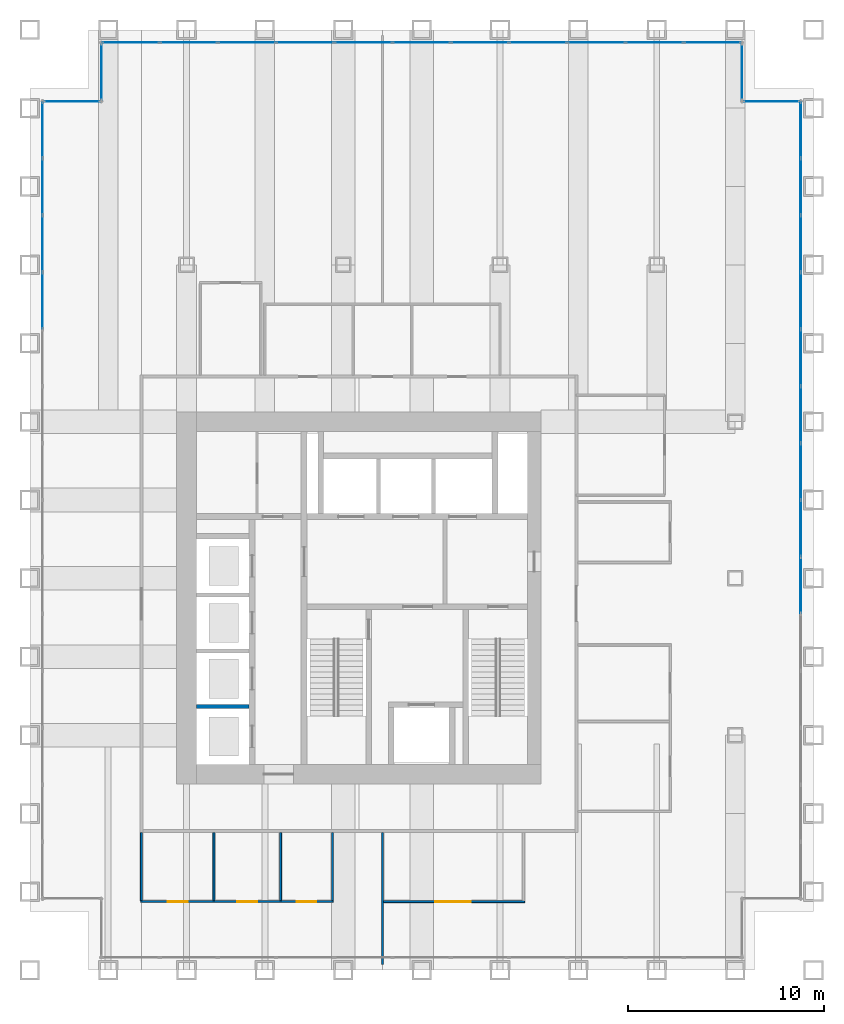
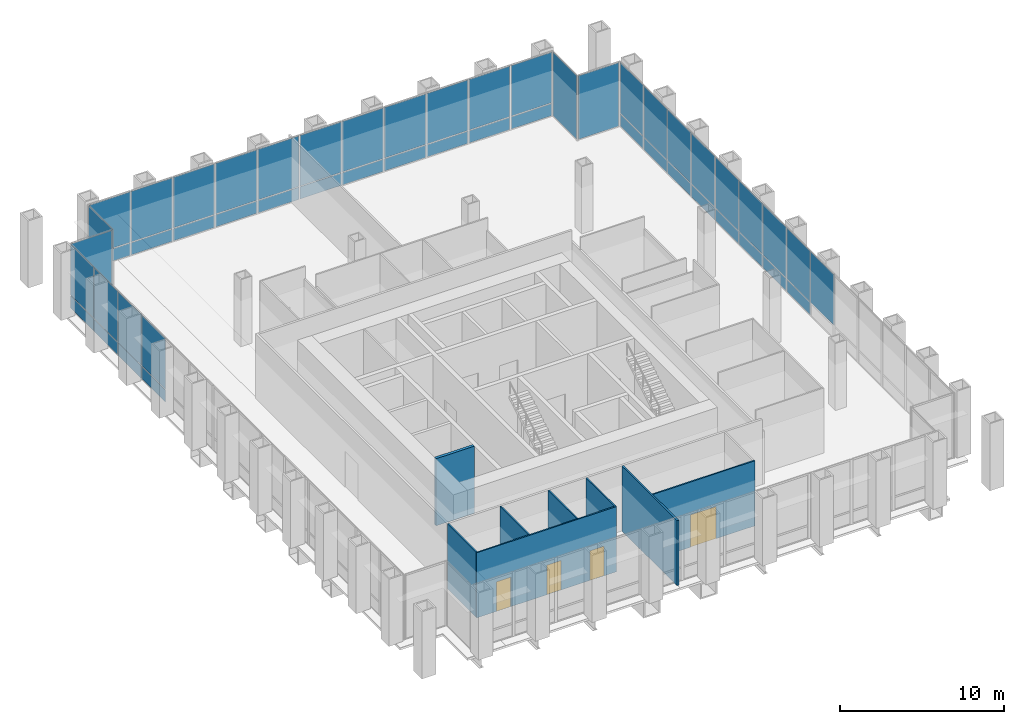
# One storey, part 9 of 13: 51 plates, 8 walls, 4 doors, 4 openings, 7 elements without a shape of their own.
"""IFC4 building model written with IfcOpenShell, lengths in metres."""

from ifc_helpers import new_model, si_unit, direction, frame, frame_2d, origin, origin_2d, place, context, subcontext, project, spatial, rectangle, extrude, material, layer, layer_set, type_object, element, fill, aggregate, save


model = new_model("IFC4")

# Units and contexts
model_context = context("Model", 3, precision=1e-05, world=origin(), true_north=direction((0.0, 1.0)))
body_context = subcontext(model_context, "Body", "Model", "MODEL_VIEW")
ifc_project = project(units=[si_unit("LENGTHUNIT", "METRE"), si_unit("AREAUNIT", "SQUARE_METRE"), si_unit("VOLUMEUNIT", "CUBIC_METRE"), si_unit("PLANEANGLEUNIT", "RADIAN"), si_unit("MASSUNIT", "GRAM", prefix="KILO")], contexts=[model_context])

# Site, building, storey
site_placement = place(None, origin())
site = spatial("IfcSite", under=ifc_project, at=site_placement, CompositionType="ELEMENT")
building_placement = place(site_placement, origin())
building = spatial("IfcBuilding", under=site, at=building_placement, Name="Rimbunsela Tower", CompositionType="ELEMENT")
storey_placement = place(building_placement, frame((0.0, 0.0, 209.199951171875)))
storey = spatial("IfcBuildingStorey", under=building, at=storey_placement, Name="L50", CompositionType="ELEMENT", Elevation=209.199951171875)

# Curtain wall, plates
ifc_material_1 = material(Name="Aluminium curtain wall", Category="aluminium")
curtain_wall_type_1 = type_object("IfcCurtainWallType", Name="Sky lobby glazing", PredefinedType="USERDEFINED", material=ifc_material_1)
curtain_wall_1_placement = place(storey_placement, origin())
curtain_wall_1 = element("IfcCurtainWall", 1, at=curtain_wall_1_placement, inside=storey, type_object=curtain_wall_type_1, Name="Sky lobby glazing L50", ObjectType="SKY LOBBY GLAZING", PredefinedType="USERDEFINED")
ifc_material_2 = material(Name="Clear double glazing", Category="glass")
ifc_layer_1 = layer(ifc_material_2, 0.028076171875)
ifc_layer_set_1 = layer_set([ifc_layer_1], Name="Glazed panel clear")
plate_type = type_object("IfcPlateType", Name="Glazed panel clear", PredefinedType="CURTAIN_PANEL", material=ifc_layer_set_1)
plate_1_placement = place(storey_placement, frame((49.35009765625, 27.639404296875, 1.0302734375), z_axis=(0.0, 0.0, 1.0), x_axis=(0.0, 1.0, 0.0)))
plate_1 = element("IfcPlate", 2, at=plate_1_placement, type_object=plate_type, Name="CW4 panel 6.2", PredefinedType="CURTAIN_PANEL", context=body_context, shape_type="SweptSolid", body=[
    extrude(rectangle(XDim=2.84716796875, YDim=0.028076171875, at=origin_2d()), origin(), (0.0, 0.0, 1.0), 3.760009765625),
])
plate_2_placement = place(storey_placement, frame((49.35009765625, 30.54638671875, 0.06005859375), z_axis=(0.0, 0.0, 1.0), x_axis=(0.0, 1.0, 0.0)))
plate_2 = element("IfcPlate", 3, at=plate_2_placement, type_object=plate_type, Name="CW4 panel 7.1", PredefinedType="CURTAIN_PANEL", context=body_context, shape_type="SweptSolid", body=[
    extrude(rectangle(XDim=2.84716796875, YDim=0.028076171875, at=origin_2d()), origin(), (0.0, 0.0, 1.0), 0.909912109375),
])
plate_3_placement = place(storey_placement, frame((49.35009765625, 30.54638671875, 1.0302734375), z_axis=(0.0, 0.0, 1.0), x_axis=(0.0, 1.0, 0.0)))
plate_3 = element("IfcPlate", 4, at=plate_3_placement, type_object=plate_type, Name="CW4 panel 7.2", PredefinedType="CURTAIN_PANEL", context=body_context, shape_type="SweptSolid", body=[
    extrude(rectangle(XDim=2.84716796875, YDim=0.028076171875, at=origin_2d()), origin(), (0.0, 0.0, 1.0), 3.760009765625),
])
plate_4_placement = place(storey_placement, frame((49.35009765625, 33.45361328125, 0.06005859375), z_axis=(0.0, 0.0, 1.0), x_axis=(0.0, 1.0, 0.0)))
plate_4 = element("IfcPlate", 5, at=plate_4_placement, type_object=plate_type, Name="CW4 panel 8.1", PredefinedType="CURTAIN_PANEL", context=body_context, shape_type="SweptSolid", body=[
    extrude(rectangle(XDim=2.84716796875, YDim=0.028076171875, at=origin_2d()), origin(), (0.0, 0.0, 1.0), 0.909912109375),
])
plate_5_placement = place(storey_placement, frame((49.35009765625, 33.45361328125, 1.0302734375), z_axis=(0.0, 0.0, 1.0), x_axis=(0.0, 1.0, 0.0)))
plate_5 = element("IfcPlate", 6, at=plate_5_placement, type_object=plate_type, Name="CW4 panel 8.2", PredefinedType="CURTAIN_PANEL", context=body_context, shape_type="SweptSolid", body=[
    extrude(rectangle(XDim=2.84716796875, YDim=0.028076171875, at=origin_2d()), origin(), (0.0, 0.0, 1.0), 3.760009765625),
])
plate_6_placement = place(storey_placement, frame((49.35009765625, 36.360595703125, 0.06005859375), z_axis=(0.0, 0.0, 1.0), x_axis=(0.0, 1.0, 0.0)))
plate_6 = element("IfcPlate", 7, at=plate_6_placement, type_object=plate_type, Name="CW4 panel 9.1", PredefinedType="CURTAIN_PANEL", context=body_context, shape_type="SweptSolid", body=[
    extrude(rectangle(XDim=2.84716796875, YDim=0.028076171875, at=origin_2d()), origin(), (0.0, 0.0, 1.0), 0.909912109375),
])
plate_7_placement = place(storey_placement, frame((49.35009765625, 36.360595703125, 1.0302734375), z_axis=(0.0, 0.0, 1.0), x_axis=(0.0, 1.0, 0.0)))
plate_7 = element("IfcPlate", 8, at=plate_7_placement, type_object=plate_type, Name="CW4 panel 9.2", PredefinedType="CURTAIN_PANEL", context=body_context, shape_type="SweptSolid", body=[
    extrude(rectangle(XDim=2.84716796875, YDim=0.028076171875, at=origin_2d()), origin(), (0.0, 0.0, 1.0), 3.760009765625),
])
plate_8_placement = place(storey_placement, frame((49.35009765625, 39.267822265625, 0.06005859375), z_axis=(0.0, 0.0, 1.0), x_axis=(0.0, 1.0, 0.0)))
plate_8 = element("IfcPlate", 9, at=plate_8_placement, type_object=plate_type, Name="CW4 panel 10.1", PredefinedType="CURTAIN_PANEL", context=body_context, shape_type="SweptSolid", body=[
    extrude(rectangle(XDim=2.84716796875, YDim=0.028076171875, at=origin_2d()), origin(), (0.0, 0.0, 1.0), 0.909912109375),
])
plate_9_placement = place(storey_placement, frame((49.35009765625, 39.267822265625, 1.0302734375), z_axis=(0.0, 0.0, 1.0), x_axis=(0.0, 1.0, 0.0)))
plate_9 = element("IfcPlate", 10, at=plate_9_placement, type_object=plate_type, Name="CW4 panel 10.2", PredefinedType="CURTAIN_PANEL", context=body_context, shape_type="SweptSolid", body=[
    extrude(rectangle(XDim=2.84716796875, YDim=0.028076171875, at=origin_2d()), origin(), (0.0, 0.0, 1.0), 3.760009765625),
])
plate_10_placement = place(storey_placement, frame((49.35009765625, 42.175048828125, 0.06005859375), z_axis=(0.0, 0.0, 1.0), x_axis=(0.0, 1.0, 0.0)))
plate_10 = element("IfcPlate", 11, at=plate_10_placement, type_object=plate_type, Name="CW4 panel 11.1", PredefinedType="CURTAIN_PANEL", context=body_context, shape_type="SweptSolid", body=[
    extrude(rectangle(XDim=2.84716796875, YDim=0.028076171875, at=origin_2d()), origin(), (0.0, 0.0, 1.0), 0.909912109375),
])
plate_11_placement = place(storey_placement, frame((49.35009765625, 42.175048828125, 1.0302734375), z_axis=(0.0, 0.0, 1.0), x_axis=(0.0, 1.0, 0.0)))
plate_11 = element("IfcPlate", 12, at=plate_11_placement, type_object=plate_type, Name="CW4 panel 11.2", PredefinedType="CURTAIN_PANEL", context=body_context, shape_type="SweptSolid", body=[
    extrude(rectangle(XDim=2.84716796875, YDim=0.028076171875, at=origin_2d()), origin(), (0.0, 0.0, 1.0), 3.760009765625),
])
plate_12_placement = place(storey_placement, frame((49.35009765625, 45.08203125, 0.06005859375), z_axis=(0.0, 0.0, 1.0), x_axis=(0.0, 1.0, 0.0)))
plate_12 = element("IfcPlate", 13, at=plate_12_placement, type_object=plate_type, Name="CW4 panel 12.1", PredefinedType="CURTAIN_PANEL", context=body_context, shape_type="SweptSolid", body=[
    extrude(rectangle(XDim=2.84716796875, YDim=0.028076171875, at=origin_2d()), origin(), (0.0, 0.0, 1.0), 0.909912109375),
])
plate_13_placement = place(storey_placement, frame((49.35009765625, 45.08203125, 1.0302734375), z_axis=(0.0, 0.0, 1.0), x_axis=(0.0, 1.0, 0.0)))
plate_13 = element("IfcPlate", 14, at=plate_13_placement, type_object=plate_type, Name="CW4 panel 12.2", PredefinedType="CURTAIN_PANEL", context=body_context, shape_type="SweptSolid", body=[
    extrude(rectangle(XDim=2.84716796875, YDim=0.028076171875, at=origin_2d()), origin(), (0.0, 0.0, 1.0), 3.760009765625),
])
plate_14_placement = place(storey_placement, frame((49.35009765625, 47.9892578125, 0.06005859375), z_axis=(0.0, 0.0, 1.0), x_axis=(0.0, 1.0, 0.0)))
plate_14 = element("IfcPlate", 15, at=plate_14_placement, type_object=plate_type, Name="CW4 panel 13.1", PredefinedType="CURTAIN_PANEL", context=body_context, shape_type="SweptSolid", body=[
    extrude(rectangle(XDim=2.84716796875, YDim=0.028076171875, at=origin_2d()), origin(), (0.0, 0.0, 1.0), 0.909912109375),
])
plate_15_placement = place(storey_placement, frame((49.35009765625, 47.9892578125, 1.0302734375), z_axis=(0.0, 0.0, 1.0), x_axis=(0.0, 1.0, 0.0)))
plate_15 = element("IfcPlate", 16, at=plate_15_placement, type_object=plate_type, Name="CW4 panel 13.2", PredefinedType="CURTAIN_PANEL", context=body_context, shape_type="SweptSolid", body=[
    extrude(rectangle(XDim=2.84716796875, YDim=0.028076171875, at=origin_2d()), origin(), (0.0, 0.0, 1.0), 3.760009765625),
])
plate_16_placement = place(storey_placement, frame((49.35009765625, 50.88134765625, 0.06005859375), z_axis=(0.0, 0.0, 1.0), x_axis=(0.0, 1.0, 0.0)))
plate_16 = element("IfcPlate", 17, at=plate_16_placement, type_object=plate_type, Name="CW4 panel 14.1", PredefinedType="CURTAIN_PANEL", context=body_context, shape_type="SweptSolid", body=[
    extrude(rectangle(XDim=2.817138671875, YDim=0.028076171875, at=origin_2d()), origin(), (0.0, 0.0, 1.0), 0.909912109375),
])
plate_17_placement = place(storey_placement, frame((49.35009765625, 50.88134765625, 1.0302734375), z_axis=(0.0, 0.0, 1.0), x_axis=(0.0, 1.0, 0.0)))
plate_17 = element("IfcPlate", 18, at=plate_17_placement, type_object=plate_type, Name="CW4 panel 14.2", PredefinedType="CURTAIN_PANEL", context=body_context, shape_type="SweptSolid", body=[
    extrude(rectangle(XDim=2.817138671875, YDim=0.028076171875, at=origin_2d()), origin(), (0.0, 0.0, 1.0), 3.760009765625),
])
aggregate(curtain_wall_1, [plate_1, plate_2, plate_3, plate_4, plate_5, plate_6, plate_7, plate_8, plate_9, plate_10, plate_11, plate_12, plate_13, plate_14, plate_15, plate_16, plate_17])

# Curtain wall, plate
ifc_material_3 = material(Name="Aluminium curtain wall", Category="aluminium")
curtain_wall_type_2 = type_object("IfcCurtainWallType", Name="Corner glazing", PredefinedType="USERDEFINED", material=ifc_material_3)
curtain_wall_2_placement = place(storey_placement, origin())
curtain_wall_2 = element("IfcCurtainWall", 19, at=curtain_wall_2_placement, inside=storey, type_object=curtain_wall_type_2, Name="Corner glazing L50", ObjectType="CORNER GLAZING", PredefinedType="USERDEFINED")
plate_18_placement = place(storey_placement, frame((47.85009765625, 52.35009765625, 0.06005859375), z_axis=(0.0, 0.0, 1.0), x_axis=(-1.0, 0.0, 0.0)))
plate_18 = element("IfcPlate", 20, at=plate_18_placement, type_object=plate_type, Name="CW5 panel 1.1", PredefinedType="CURTAIN_PANEL", context=body_context, shape_type="SweptSolid", body=[
    extrude(rectangle(XDim=2.8798828125, YDim=0.028076171875, at=origin_2d()), origin(), (0.0, 0.0, 1.0), 4.72998046875),
])
aggregate(curtain_wall_2, [plate_18])

curtain_wall_3_placement = place(storey_placement, origin())
curtain_wall_3 = element("IfcCurtainWall", 21, at=curtain_wall_3_placement, inside=storey, type_object=curtain_wall_type_2, Name="Corner glazing L50", ObjectType="CORNER GLAZING", PredefinedType="USERDEFINED")
plate_19_placement = place(storey_placement, frame((46.35009765625, 53.85009765625, 0.06005859375), z_axis=(0.0, 0.0, 1.0), x_axis=(0.0, 1.0, 0.0)))
plate_19 = element("IfcPlate", 22, at=plate_19_placement, type_object=plate_type, Name="CW5 panel 1.1", PredefinedType="CURTAIN_PANEL", context=body_context, shape_type="SweptSolid", body=[
    extrude(rectangle(XDim=2.8798828125, YDim=0.028076171875, at=origin_2d()), origin(), (0.0, 0.0, 1.0), 4.72998046875),
])
aggregate(curtain_wall_3, [plate_19])

# Curtain wall, plates
curtain_wall_4_placement = place(storey_placement, origin())
curtain_wall_4 = element("IfcCurtainWall", 23, at=curtain_wall_4_placement, inside=storey, type_object=curtain_wall_type_1, Name="Sky lobby glazing L50", ObjectType="SKY LOBBY GLAZING", PredefinedType="USERDEFINED")
plate_20_placement = place(storey_placement, frame((44.8486328125, 55.35009765625, 0.06005859375), z_axis=(0.0, 0.0, 1.0), x_axis=(-1.0, 0.0, 0.0)))
plate_20 = element("IfcPlate", 24, at=plate_20_placement, type_object=plate_type, Name="CW4 panel 1.1", PredefinedType="CURTAIN_PANEL", context=body_context, shape_type="SweptSolid", body=[
    extrude(rectangle(XDim=2.8828125, YDim=0.028076171875, at=origin_2d()), origin(), (0.0, 0.0, 1.0), 0.909912109375),
])
plate_21_placement = place(storey_placement, frame((44.8486328125, 55.35009765625, 1.0302734375), z_axis=(0.0, 0.0, 1.0), x_axis=(-1.0, 0.0, 0.0)))
plate_21 = element("IfcPlate", 25, at=plate_21_placement, type_object=plate_type, Name="CW4 panel 1.2", PredefinedType="CURTAIN_PANEL", context=body_context, shape_type="SweptSolid", body=[
    extrude(rectangle(XDim=2.8828125, YDim=0.028076171875, at=origin_2d()), origin(), (0.0, 0.0, 1.0), 3.760009765625),
])
plate_22_placement = place(storey_placement, frame((41.890869140625, 55.35009765625, 0.06005859375), z_axis=(0.0, 0.0, 1.0), x_axis=(-1.0, 0.0, 0.0)))
plate_22 = element("IfcPlate", 26, at=plate_22_placement, type_object=plate_type, Name="CW4 panel 2.1", PredefinedType="CURTAIN_PANEL", context=body_context, shape_type="SweptSolid", body=[
    extrude(rectangle(XDim=2.912841796875, YDim=0.028076171875, at=origin_2d()), origin(), (0.0, 0.0, 1.0), 0.909912109375),
])
plate_23_placement = place(storey_placement, frame((41.890869140625, 55.35009765625, 1.0302734375), z_axis=(0.0, 0.0, 1.0), x_axis=(-1.0, 0.0, 0.0)))
plate_23 = element("IfcPlate", 27, at=plate_23_placement, type_object=plate_type, Name="CW4 panel 2.2", PredefinedType="CURTAIN_PANEL", context=body_context, shape_type="SweptSolid", body=[
    extrude(rectangle(XDim=2.912841796875, YDim=0.028076171875, at=origin_2d()), origin(), (0.0, 0.0, 1.0), 3.760009765625),
])
plate_24_placement = place(storey_placement, frame((38.918212890625, 55.35009765625, 0.06005859375), z_axis=(0.0, 0.0, 1.0), x_axis=(-1.0, 0.0, 0.0)))
plate_24 = element("IfcPlate", 28, at=plate_24_placement, type_object=plate_type, Name="CW4 panel 3.1", PredefinedType="CURTAIN_PANEL", context=body_context, shape_type="SweptSolid", body=[
    extrude(rectangle(XDim=2.912841796875, YDim=0.028076171875, at=origin_2d()), origin(), (0.0, 0.0, 1.0), 0.909912109375),
])
plate_25_placement = place(storey_placement, frame((38.918212890625, 55.35009765625, 1.0302734375), z_axis=(0.0, 0.0, 1.0), x_axis=(-1.0, 0.0, 0.0)))
plate_25 = element("IfcPlate", 29, at=plate_25_placement, type_object=plate_type, Name="CW4 panel 3.2", PredefinedType="CURTAIN_PANEL", context=body_context, shape_type="SweptSolid", body=[
    extrude(rectangle(XDim=2.912841796875, YDim=0.028076171875, at=origin_2d()), origin(), (0.0, 0.0, 1.0), 3.760009765625),
])
plate_26_placement = place(storey_placement, frame((35.945556640625, 55.35009765625, 0.06005859375), z_axis=(0.0, 0.0, 1.0), x_axis=(-1.0, 0.0, 0.0)))
plate_26 = element("IfcPlate", 30, at=plate_26_placement, type_object=plate_type, Name="CW4 panel 4.1", PredefinedType="CURTAIN_PANEL", context=body_context, shape_type="SweptSolid", body=[
    extrude(rectangle(XDim=2.912841796875, YDim=0.028076171875, at=origin_2d()), origin(), (0.0, 0.0, 1.0), 0.909912109375),
])
plate_27_placement = place(storey_placement, frame((35.945556640625, 55.35009765625, 1.0302734375), z_axis=(0.0, 0.0, 1.0), x_axis=(-1.0, 0.0, 0.0)))
plate_27 = element("IfcPlate", 31, at=plate_27_placement, type_object=plate_type, Name="CW4 panel 4.2", PredefinedType="CURTAIN_PANEL", context=body_context, shape_type="SweptSolid", body=[
    extrude(rectangle(XDim=2.912841796875, YDim=0.028076171875, at=origin_2d()), origin(), (0.0, 0.0, 1.0), 3.760009765625),
])
plate_28_placement = place(storey_placement, frame((32.97265625, 55.35009765625, 0.06005859375), z_axis=(0.0, 0.0, 1.0), x_axis=(-1.0, 0.0, 0.0)))
plate_28 = element("IfcPlate", 32, at=plate_28_placement, type_object=plate_type, Name="CW4 panel 5.1", PredefinedType="CURTAIN_PANEL", context=body_context, shape_type="SweptSolid", body=[
    extrude(rectangle(XDim=2.912841796875, YDim=0.028076171875, at=origin_2d()), origin(), (0.0, 0.0, 1.0), 0.909912109375),
])
plate_29_placement = place(storey_placement, frame((32.97265625, 55.35009765625, 1.0302734375), z_axis=(0.0, 0.0, 1.0), x_axis=(-1.0, 0.0, 0.0)))
plate_29 = element("IfcPlate", 33, at=plate_29_placement, type_object=plate_type, Name="CW4 panel 5.2", PredefinedType="CURTAIN_PANEL", context=body_context, shape_type="SweptSolid", body=[
    extrude(rectangle(XDim=2.912841796875, YDim=0.028076171875, at=origin_2d()), origin(), (0.0, 0.0, 1.0), 3.760009765625),
])
plate_30_placement = place(storey_placement, frame((30.0, 55.35009765625, 0.06005859375), z_axis=(0.0, 0.0, 1.0), x_axis=(-1.0, 0.0, 0.0)))
plate_30 = element("IfcPlate", 34, at=plate_30_placement, type_object=plate_type, Name="CW4 panel 6.1", PredefinedType="CURTAIN_PANEL", context=body_context, shape_type="SweptSolid", body=[
    extrude(rectangle(XDim=2.912841796875, YDim=0.028076171875, at=origin_2d()), origin(), (0.0, 0.0, 1.0), 0.909912109375),
])
plate_31_placement = place(storey_placement, frame((30.0, 55.35009765625, 1.0302734375), z_axis=(0.0, 0.0, 1.0), x_axis=(-1.0, 0.0, 0.0)))
plate_31 = element("IfcPlate", 35, at=plate_31_placement, type_object=plate_type, Name="CW4 panel 6.2", PredefinedType="CURTAIN_PANEL", context=body_context, shape_type="SweptSolid", body=[
    extrude(rectangle(XDim=2.912841796875, YDim=0.028076171875, at=origin_2d()), origin(), (0.0, 0.0, 1.0), 3.760009765625),
])
plate_32_placement = place(storey_placement, frame((27.02734375, 55.35009765625, 0.06005859375), z_axis=(0.0, 0.0, 1.0), x_axis=(-1.0, 0.0, 0.0)))
plate_32 = element("IfcPlate", 36, at=plate_32_placement, type_object=plate_type, Name="CW4 panel 7.1", PredefinedType="CURTAIN_PANEL", context=body_context, shape_type="SweptSolid", body=[
    extrude(rectangle(XDim=2.912841796875, YDim=0.028076171875, at=origin_2d()), origin(), (0.0, 0.0, 1.0), 0.909912109375),
])
plate_33_placement = place(storey_placement, frame((27.02734375, 55.35009765625, 1.0302734375), z_axis=(0.0, 0.0, 1.0), x_axis=(-1.0, 0.0, 0.0)))
plate_33 = element("IfcPlate", 37, at=plate_33_placement, type_object=plate_type, Name="CW4 panel 7.2", PredefinedType="CURTAIN_PANEL", context=body_context, shape_type="SweptSolid", body=[
    extrude(rectangle(XDim=2.912841796875, YDim=0.028076171875, at=origin_2d()), origin(), (0.0, 0.0, 1.0), 3.760009765625),
])
plate_34_placement = place(storey_placement, frame((24.054443359375, 55.35009765625, 0.06005859375), z_axis=(0.0, 0.0, 1.0), x_axis=(-1.0, 0.0, 0.0)))
plate_34 = element("IfcPlate", 38, at=plate_34_placement, type_object=plate_type, Name="CW4 panel 8.1", PredefinedType="CURTAIN_PANEL", context=body_context, shape_type="SweptSolid", body=[
    extrude(rectangle(XDim=2.912841796875, YDim=0.028076171875, at=origin_2d()), origin(), (0.0, 0.0, 1.0), 0.909912109375),
])
plate_35_placement = place(storey_placement, frame((24.054443359375, 55.35009765625, 1.0302734375), z_axis=(0.0, 0.0, 1.0), x_axis=(-1.0, 0.0, 0.0)))
plate_35 = element("IfcPlate", 39, at=plate_35_placement, type_object=plate_type, Name="CW4 panel 8.2", PredefinedType="CURTAIN_PANEL", context=body_context, shape_type="SweptSolid", body=[
    extrude(rectangle(XDim=2.912841796875, YDim=0.028076171875, at=origin_2d()), origin(), (0.0, 0.0, 1.0), 3.760009765625),
])
plate_36_placement = place(storey_placement, frame((21.081787109375, 55.35009765625, 0.06005859375), z_axis=(0.0, 0.0, 1.0), x_axis=(-1.0, 0.0, 0.0)))
plate_36 = element("IfcPlate", 40, at=plate_36_placement, type_object=plate_type, Name="CW4 panel 9.1", PredefinedType="CURTAIN_PANEL", context=body_context, shape_type="SweptSolid", body=[
    extrude(rectangle(XDim=2.912841796875, YDim=0.028076171875, at=origin_2d()), origin(), (0.0, 0.0, 1.0), 0.909912109375),
])
plate_37_placement = place(storey_placement, frame((21.081787109375, 55.35009765625, 1.0302734375), z_axis=(0.0, 0.0, 1.0), x_axis=(-1.0, 0.0, 0.0)))
plate_37 = element("IfcPlate", 41, at=plate_37_placement, type_object=plate_type, Name="CW4 panel 9.2", PredefinedType="CURTAIN_PANEL", context=body_context, shape_type="SweptSolid", body=[
    extrude(rectangle(XDim=2.912841796875, YDim=0.028076171875, at=origin_2d()), origin(), (0.0, 0.0, 1.0), 3.760009765625),
])
plate_38_placement = place(storey_placement, frame((18.109130859375, 55.35009765625, 0.06005859375), z_axis=(0.0, 0.0, 1.0), x_axis=(-1.0, 0.0, 0.0)))
plate_38 = element("IfcPlate", 42, at=plate_38_placement, type_object=plate_type, Name="CW4 panel 10.1", PredefinedType="CURTAIN_PANEL", context=body_context, shape_type="SweptSolid", body=[
    extrude(rectangle(XDim=2.912841796875, YDim=0.028076171875, at=origin_2d()), origin(), (0.0, 0.0, 1.0), 0.909912109375),
])
plate_39_placement = place(storey_placement, frame((18.109130859375, 55.35009765625, 1.0302734375), z_axis=(0.0, 0.0, 1.0), x_axis=(-1.0, 0.0, 0.0)))
plate_39 = element("IfcPlate", 43, at=plate_39_placement, type_object=plate_type, Name="CW4 panel 10.2", PredefinedType="CURTAIN_PANEL", context=body_context, shape_type="SweptSolid", body=[
    extrude(rectangle(XDim=2.912841796875, YDim=0.028076171875, at=origin_2d()), origin(), (0.0, 0.0, 1.0), 3.760009765625),
])
plate_40_placement = place(storey_placement, frame((15.1513671875, 55.35009765625, 0.06005859375), z_axis=(0.0, 0.0, 1.0), x_axis=(-1.0, 0.0, 0.0)))
plate_40 = element("IfcPlate", 44, at=plate_40_placement, type_object=plate_type, Name="CW4 panel 11.1", PredefinedType="CURTAIN_PANEL", context=body_context, shape_type="SweptSolid", body=[
    extrude(rectangle(XDim=2.8828125, YDim=0.028076171875, at=origin_2d()), origin(), (0.0, 0.0, 1.0), 0.909912109375),
])
plate_41_placement = place(storey_placement, frame((15.1513671875, 55.35009765625, 1.0302734375), z_axis=(0.0, 0.0, 1.0), x_axis=(-1.0, 0.0, 0.0)))
plate_41 = element("IfcPlate", 45, at=plate_41_placement, type_object=plate_type, Name="CW4 panel 11.2", PredefinedType="CURTAIN_PANEL", context=body_context, shape_type="SweptSolid", body=[
    extrude(rectangle(XDim=2.8828125, YDim=0.028076171875, at=origin_2d()), origin(), (0.0, 0.0, 1.0), 3.760009765625),
])
aggregate(curtain_wall_4, [plate_20, plate_21, plate_22, plate_23, plate_24, plate_25, plate_26, plate_27, plate_28, plate_29, plate_30, plate_31, plate_32, plate_33, plate_34, plate_35, plate_36, plate_37, plate_38, plate_39, plate_40, plate_41])

# Curtain wall, plate
curtain_wall_5_placement = place(storey_placement, origin())
curtain_wall_5 = element("IfcCurtainWall", 46, at=curtain_wall_5_placement, inside=storey, type_object=curtain_wall_type_2, Name="Corner glazing L50", ObjectType="CORNER GLAZING", PredefinedType="USERDEFINED")
plate_42_placement = place(storey_placement, frame((13.64990234375, 53.85009765625, 0.06005859375), z_axis=(0.0, 0.0, 1.0), x_axis=(0.0, -1.0, 0.0)))
plate_42 = element("IfcPlate", 47, at=plate_42_placement, type_object=plate_type, Name="CW5 panel 1.1", PredefinedType="CURTAIN_PANEL", context=body_context, shape_type="SweptSolid", body=[
    extrude(rectangle(XDim=2.8798828125, YDim=0.028076171875, at=origin_2d()), origin(), (0.0, 0.0, 1.0), 4.72998046875),
])
aggregate(curtain_wall_5, [plate_42])

curtain_wall_6_placement = place(storey_placement, origin())
curtain_wall_6 = element("IfcCurtainWall", 48, at=curtain_wall_6_placement, inside=storey, type_object=curtain_wall_type_2, Name="Corner glazing L50", ObjectType="CORNER GLAZING", PredefinedType="USERDEFINED")
plate_43_placement = place(storey_placement, frame((12.14990234375, 52.35009765625, 0.06005859375), z_axis=(0.0, 0.0, 1.0), x_axis=(-1.0, 0.0, 0.0)))
plate_43 = element("IfcPlate", 49, at=plate_43_placement, type_object=plate_type, Name="CW5 panel 1.1", PredefinedType="CURTAIN_PANEL", context=body_context, shape_type="SweptSolid", body=[
    extrude(rectangle(XDim=2.8798828125, YDim=0.028076171875, at=origin_2d()), origin(), (0.0, 0.0, 1.0), 4.72998046875),
])
aggregate(curtain_wall_6, [plate_43])

# Curtain wall, plates
curtain_wall_7_placement = place(storey_placement, origin())
curtain_wall_7 = element("IfcCurtainWall", 50, at=curtain_wall_7_placement, inside=storey, type_object=curtain_wall_type_1, Name="Sky lobby glazing L50", ObjectType="SKY LOBBY GLAZING", PredefinedType="USERDEFINED")
plate_44_placement = place(storey_placement, frame((10.64990234375, 50.88134765625, 0.06005859375), z_axis=(0.0, 0.0, 1.0), x_axis=(0.0, -1.0, 0.0)))
plate_44 = element("IfcPlate", 51, at=plate_44_placement, type_object=plate_type, Name="CW4 panel 1.1", PredefinedType="CURTAIN_PANEL", context=body_context, shape_type="SweptSolid", body=[
    extrude(rectangle(XDim=2.817138671875, YDim=0.028076171875, at=origin_2d()), origin(), (0.0, 0.0, 1.0), 0.909912109375),
])
plate_45_placement = place(storey_placement, frame((10.64990234375, 50.88134765625, 1.0302734375), z_axis=(0.0, 0.0, 1.0), x_axis=(0.0, -1.0, 0.0)))
plate_45 = element("IfcPlate", 52, at=plate_45_placement, type_object=plate_type, Name="CW4 panel 1.2", PredefinedType="CURTAIN_PANEL", context=body_context, shape_type="SweptSolid", body=[
    extrude(rectangle(XDim=2.817138671875, YDim=0.028076171875, at=origin_2d()), origin(), (0.0, 0.0, 1.0), 3.760009765625),
])
plate_46_placement = place(storey_placement, frame((10.64990234375, 47.9892578125, 0.06005859375), z_axis=(0.0, 0.0, 1.0), x_axis=(0.0, -1.0, 0.0)))
plate_46 = element("IfcPlate", 53, at=plate_46_placement, type_object=plate_type, Name="CW4 panel 2.1", PredefinedType="CURTAIN_PANEL", context=body_context, shape_type="SweptSolid", body=[
    extrude(rectangle(XDim=2.84716796875, YDim=0.028076171875, at=origin_2d()), origin(), (0.0, 0.0, 1.0), 0.909912109375),
])
plate_47_placement = place(storey_placement, frame((10.64990234375, 47.9892578125, 1.0302734375), z_axis=(0.0, 0.0, 1.0), x_axis=(0.0, -1.0, 0.0)))
plate_47 = element("IfcPlate", 54, at=plate_47_placement, type_object=plate_type, Name="CW4 panel 2.2", PredefinedType="CURTAIN_PANEL", context=body_context, shape_type="SweptSolid", body=[
    extrude(rectangle(XDim=2.84716796875, YDim=0.028076171875, at=origin_2d()), origin(), (0.0, 0.0, 1.0), 3.760009765625),
])
plate_48_placement = place(storey_placement, frame((10.64990234375, 45.08203125, 0.06005859375), z_axis=(0.0, 0.0, 1.0), x_axis=(0.0, -1.0, 0.0)))
plate_48 = element("IfcPlate", 55, at=plate_48_placement, type_object=plate_type, Name="CW4 panel 3.1", PredefinedType="CURTAIN_PANEL", context=body_context, shape_type="SweptSolid", body=[
    extrude(rectangle(XDim=2.84716796875, YDim=0.028076171875, at=origin_2d()), origin(), (0.0, 0.0, 1.0), 0.909912109375),
])
plate_49_placement = place(storey_placement, frame((10.64990234375, 45.08203125, 1.0302734375), z_axis=(0.0, 0.0, 1.0), x_axis=(0.0, -1.0, 0.0)))
plate_49 = element("IfcPlate", 56, at=plate_49_placement, type_object=plate_type, Name="CW4 panel 3.2", PredefinedType="CURTAIN_PANEL", context=body_context, shape_type="SweptSolid", body=[
    extrude(rectangle(XDim=2.84716796875, YDim=0.028076171875, at=origin_2d()), origin(), (0.0, 0.0, 1.0), 3.760009765625),
])
plate_50_placement = place(storey_placement, frame((10.64990234375, 42.175048828125, 0.06005859375), z_axis=(0.0, 0.0, 1.0), x_axis=(0.0, -1.0, 0.0)))
plate_50 = element("IfcPlate", 57, at=plate_50_placement, type_object=plate_type, Name="CW4 panel 4.1", PredefinedType="CURTAIN_PANEL", context=body_context, shape_type="SweptSolid", body=[
    extrude(rectangle(XDim=2.84716796875, YDim=0.028076171875, at=origin_2d()), origin(), (0.0, 0.0, 1.0), 0.909912109375),
])
plate_51_placement = place(storey_placement, frame((10.64990234375, 42.175048828125, 1.0302734375), z_axis=(0.0, 0.0, 1.0), x_axis=(0.0, -1.0, 0.0)))
plate_51 = element("IfcPlate", 58, at=plate_51_placement, type_object=plate_type, Name="CW4 panel 4.2", PredefinedType="CURTAIN_PANEL", context=body_context, shape_type="SweptSolid", body=[
    extrude(rectangle(XDim=2.84716796875, YDim=0.028076171875, at=origin_2d()), origin(), (0.0, 0.0, 1.0), 3.760009765625),
])
aggregate(curtain_wall_7, [plate_44, plate_45, plate_46, plate_47, plate_48, plate_49, plate_50, plate_51])

# Wall
ifc_material_4 = material(Name="Concrete blockwork", Category="masonry")
ifc_layer_2 = layer(ifc_material_4, 0.199951171875)
ifc_layer_set_2 = layer_set([ifc_layer_2], Name="Lift shaft wall 200")
wall_type_1 = type_object("IfcWallType", Name="Lift shaft wall 200", PredefinedType="SOLIDWALL", material=ifc_layer_set_2)
wall_1_placement = place(storey_placement, frame((18.5, 21.449951171875, -0.14990234375), z_axis=(0.0, 0.0, 1.0), x_axis=(1.0, 0.0, 0.0)))
element("IfcWall", 59, at=wall_1_placement, inside=storey, type_object=wall_type_1, Name="Lift shaft separation", PredefinedType="SOLIDWALL", context=body_context, shape_type="SweptSolid", body=[
    extrude(rectangle(XDim=2.699951171875, YDim=0.199951171875, at=frame_2d((1.35009765625, 0.0))), origin(), (0.0, 0.0, 1.0), 5.0),
])

# Wall, openings, doors
ifc_material_5 = material(Name="Gypsum board on steel studs", Category="steel")
ifc_layer_3 = layer(ifc_material_5, 0.10009765625)
ifc_layer_set_3 = layer_set([ifc_layer_3], Name="Office partition 100")
wall_type_2 = type_object("IfcWallType", Name="Office partition 100", PredefinedType="PARTITIONING", material=ifc_layer_set_3)
wall_2_placement = place(storey_placement, frame((15.64990234375, 11.5, 0.0), z_axis=(0.0, 0.0, 1.0), x_axis=(1.0, 0.0, 0.0)))
wall_2 = element("IfcWall", 60, at=wall_2_placement, inside=storey, type_object=wall_type_2, Name="Office partition", PredefinedType="PARTITIONING", context=body_context, shape_type="SweptSolid", body=[
    extrude(rectangle(XDim=9.85009765625, YDim=0.10009765625, at=frame_2d((4.925048828125, 0.0))), origin(), (0.0, 0.0, 1.0), 4.85009765625),
])
opening_1_placement = place(wall_2_placement, frame((1.39990234375, 0.0, 0.0)))
opening_1 = element("IfcOpeningElement", 61, at=opening_1_placement, cuts=wall_2, Name="Opening D17", PredefinedType="OPENING", context=body_context, shape_type="SweptSolid", body=[
    extrude(rectangle(XDim=1.0, YDim=2.199951171875, at=frame_2d((0.5, 1.10009765625))), frame((0.0, 0.06005859375, 0.0), z_axis=(0.0, -1.0, 0.0), x_axis=(1.0, 0.0, 0.0)), (0.0, 0.0, 1.0), 0.1201171875),
])
opening_2_placement = place(wall_2_placement, frame((4.949951171875, 0.0, 0.0)))
opening_2 = element("IfcOpeningElement", 62, at=opening_2_placement, cuts=wall_2, Name="Opening D16", PredefinedType="OPENING", context=body_context, shape_type="SweptSolid", body=[
    extrude(rectangle(XDim=1.0, YDim=2.199951171875, at=frame_2d((0.5, 1.10009765625))), frame((0.0, 0.06005859375, 0.0), z_axis=(0.0, -1.0, 0.0), x_axis=(1.0, 0.0, 0.0)), (0.0, 0.0, 1.0), 0.1201171875),
])
opening_3_placement = place(wall_2_placement, frame((7.97509765625, 0.0, 0.0)))
opening_3 = element("IfcOpeningElement", 63, at=opening_3_placement, cuts=wall_2, Name="Opening D16", PredefinedType="OPENING", context=body_context, shape_type="SweptSolid", body=[
    extrude(rectangle(XDim=1.0, YDim=2.199951171875, at=frame_2d((0.5, 1.10009765625))), frame((0.0, 0.06005859375, 0.0), z_axis=(0.0, -1.0, 0.0), x_axis=(1.0, 0.0, 0.0)), (0.0, 0.0, 1.0), 0.1201171875),
])
ifc_material_6 = material(Name="Glazed aluminium door", Category="aluminium")
door_type_1 = type_object("IfcDoorType", Name="Meeting room door 1000 glazed", OperationType="SINGLE_SWING_RIGHT", PredefinedType="DOOR", material=ifc_material_6)
door_1_placement = place(opening_1_placement, origin())
door_1 = element("IfcDoor", 64, at=door_1_placement, inside=storey, type_object=door_type_1, Name="Meeting room door", OperationType="SINGLE_SWING_RIGHT", OverallHeight=2.199951171875, OverallWidth=1.0, PredefinedType="DOOR", context=body_context, shape_type="SweptSolid", body=[
    extrude(rectangle(XDim=1.0, YDim=2.199951171875, at=frame_2d((0.5, 1.10009765625))), frame((0.0, 0.02490234375, 0.0), z_axis=(0.0, -1.0, 0.0), x_axis=(1.0, 0.0, 0.0)), (0.0, 0.0, 1.0), 0.050048828125),
])
fill(opening_1, door_1)
ifc_material_7 = material(Name="Timber door", Category="wood")
door_type_2 = type_object("IfcDoorType", Name="Office door 1000", OperationType="SINGLE_SWING_LEFT", PredefinedType="DOOR", material=ifc_material_7)
door_2_placement = place(opening_2_placement, origin())
door_2 = element("IfcDoor", 65, at=door_2_placement, inside=storey, type_object=door_type_2, Name="Office door", OperationType="SINGLE_SWING_LEFT", OverallHeight=2.199951171875, OverallWidth=1.0, PredefinedType="DOOR", context=body_context, shape_type="SweptSolid", body=[
    extrude(rectangle(XDim=1.0, YDim=2.199951171875, at=frame_2d((0.5, 1.10009765625))), frame((0.0, 0.02490234375, 0.0), z_axis=(0.0, -1.0, 0.0), x_axis=(1.0, 0.0, 0.0)), (0.0, 0.0, 1.0), 0.050048828125),
])
fill(opening_2, door_2)
door_3_placement = place(opening_3_placement, origin())
door_3 = element("IfcDoor", 66, at=door_3_placement, inside=storey, type_object=door_type_2, Name="Office door", OperationType="SINGLE_SWING_LEFT", OverallHeight=2.199951171875, OverallWidth=1.0, PredefinedType="DOOR", context=body_context, shape_type="SweptSolid", body=[
    extrude(rectangle(XDim=1.0, YDim=2.199951171875, at=frame_2d((0.5, 1.10009765625))), frame((0.0, 0.02490234375, 0.0), z_axis=(0.0, -1.0, 0.0), x_axis=(1.0, 0.0, 0.0)), (0.0, 0.0, 1.0), 0.050048828125),
])
fill(opening_3, door_3)

# Wall, opening, door
wall_3_placement = place(storey_placement, frame((28.06103515625, 11.5, 0.0), z_axis=(0.0, 0.0, 1.0), x_axis=(1.0, 0.0, 0.0)))
wall_3 = element("IfcWall", 67, at=wall_3_placement, inside=storey, type_object=wall_type_2, Name="Office partition", PredefinedType="PARTITIONING", context=body_context, shape_type="SweptSolid", body=[
    extrude(rectangle(XDim=7.18994140625, YDim=0.10009765625, at=frame_2d((3.594970703125, 0.0))), origin(), (0.0, 0.0, 1.0), 4.85009765625),
])
opening_4_placement = place(wall_3_placement, frame((2.639892578125, 0.0, 0.0)))
opening_4 = element("IfcOpeningElement", 68, at=opening_4_placement, cuts=wall_3, Name="Opening D18", PredefinedType="OPENING", context=body_context, shape_type="SweptSolid", body=[
    extrude(rectangle(XDim=1.800048828125, YDim=2.39990234375, at=frame_2d((0.89990234375, 1.199951171875))), frame((0.0, 0.06005859375, 0.0), z_axis=(0.0, -1.0, 0.0), x_axis=(1.0, 0.0, 0.0)), (0.0, 0.0, 1.0), 0.1201171875),
])
ifc_material_8 = material(Name="Glazed aluminium door", Category="aluminium")
door_type_3 = type_object("IfcDoorType", Name="Boardroom door 1800 glazed", OperationType="DOUBLE_DOOR_DOUBLE_SWING", PredefinedType="DOOR", material=ifc_material_8)
door_4_placement = place(opening_4_placement, origin())
door_4 = element("IfcDoor", 69, at=door_4_placement, inside=storey, type_object=door_type_3, Name="Boardroom door", OperationType="DOUBLE_DOOR_DOUBLE_SWING", OverallHeight=2.39990234375, OverallWidth=1.800048828125, PredefinedType="DOOR", context=body_context, shape_type="SweptSolid", body=[
    extrude(rectangle(XDim=1.800048828125, YDim=2.39990234375, at=frame_2d((0.89990234375, 1.199951171875))), frame((0.0, 0.02490234375, 0.0), z_axis=(0.0, -1.0, 0.0), x_axis=(1.0, 0.0, 0.0)), (0.0, 0.0, 1.0), 0.050048828125),
])
fill(opening_4, door_4)

# Walls
for number, where, z_axis, x_axis, name in (
    (70, (15.699951171875, 11.550048828125, 0.0), (0.0, 0.0, 1.0), (0.0, 1.0, 0.0), "Office partition"),
    (71, (19.39990234375, 11.550048828125, 0.0), (0.0, 0.0, 1.0), (0.0, 1.0, 0.0), "Office partition"),
    (72, (22.800048828125, 11.550048828125, 0.0), (0.0, 0.0, 1.0), (0.0, 1.0, 0.0), "Office partition"),
    (73, (25.449951171875, 11.550048828125, 0.0), (0.0, 0.0, 1.0), (0.0, 1.0, 0.0), "Office partition"),
):
    element("IfcWall", number, at=place(storey_placement, frame(where, z_axis=z_axis, x_axis=x_axis)), inside=storey, type_object=wall_type_2, Name=name, PredefinedType="PARTITIONING", context=body_context, shape_type="SweptSolid", body=[
        extrude(rectangle(XDim=3.474853515625, YDim=0.10009765625, at=frame_2d((1.7373046875, 0.0))), origin(), (0.0, 0.0, 1.0), 4.85009765625),
    ])
ifc_material_9 = material(Name="Gypsum board on steel studs", Category="steel")
ifc_layer_4 = layer(ifc_material_9, 0.1201171875)
ifc_layer_set_4 = layer_set([ifc_layer_4], Name="Tenancy partition 120")
wall_type_3 = type_object("IfcWallType", Name="Tenancy partition 120", PredefinedType="PARTITIONING", material=ifc_layer_set_4)
wall_4_placement = place(storey_placement, frame((28.0, 8.300048828125, 0.0), z_axis=(0.0, 0.0, 1.0), x_axis=(0.0, 1.0, 0.0)))
element("IfcWall", 74, at=wall_4_placement, inside=storey, type_object=wall_type_3, Name="Tenancy partition south", PredefinedType="PARTITIONING", context=body_context, shape_type="SweptSolid", body=[
    extrude(rectangle(XDim=6.724853515625, YDim=0.1201171875, at=frame_2d((3.3623046875, 0.0))), origin(), (0.0, 0.0, 1.0), 4.85009765625),
])

save(model, "model.ifc")
